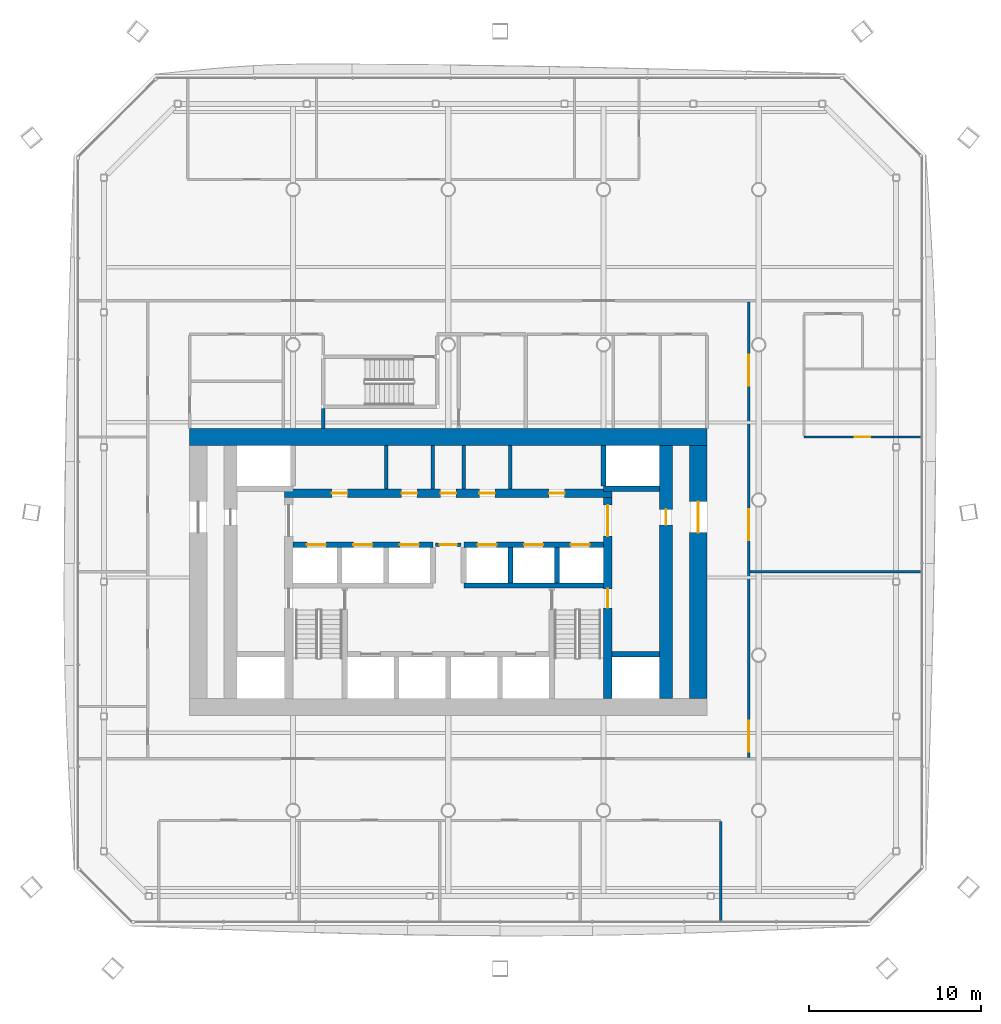
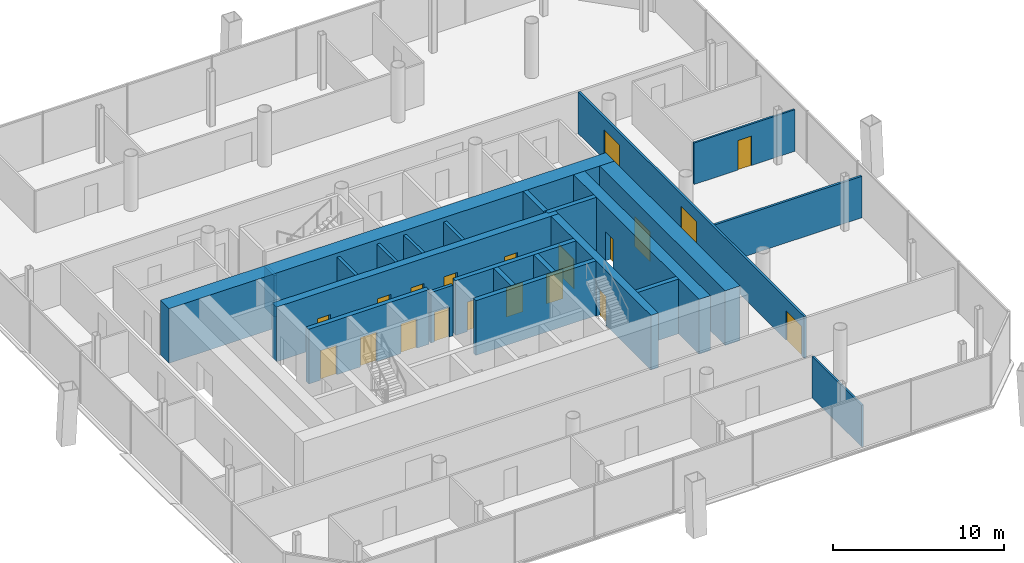
# One storey, part 12 of 19: 23 walls, 20 doors, 20 openings.
"""IFC4 building model written with IfcOpenShell, lengths in metres."""

from ifc_helpers import new_model, si_unit, direction, frame, frame_2d, origin, place, context, subcontext, project, spatial, rectangle, extrude, material, layer, layer_set, type_object, element, fill, save


model = new_model("IFC4")

# Units and contexts
model_context = context("Model", 3, precision=1e-05, world=origin(), true_north=direction((0.0, 1.0)))
body_context = subcontext(model_context, "Body", "Model", "MODEL_VIEW")
ifc_project = project(units=[si_unit("LENGTHUNIT", "METRE"), si_unit("AREAUNIT", "SQUARE_METRE"), si_unit("VOLUMEUNIT", "CUBIC_METRE"), si_unit("PLANEANGLEUNIT", "RADIAN"), si_unit("MASSUNIT", "GRAM", prefix="KILO")], contexts=[model_context])

# Site, building, storey
site_placement = place(None, origin())
site = spatial("IfcSite", under=ifc_project, at=site_placement, CompositionType="ELEMENT")
building_placement = place(site_placement, origin())
building = spatial("IfcBuilding", under=site, at=building_placement, Name="Tskaro Facet Tower", CompositionType="ELEMENT")
storey_placement = place(building_placement, frame((0.0, 0.0, 93.300048828125)))
storey = spatial("IfcBuildingStorey", under=building, at=storey_placement, Name="L22", CompositionType="ELEMENT", Elevation=93.300048828125)

# Walls
ifc_material_1 = material(Name="Concrete C60/75", Category="concrete")
ifc_layer_1 = layer(ifc_material_1, 0.300048828125, Name="Concrete C60/75")
ifc_layer_set_1 = layer_set([ifc_layer_1], Name="Concrete C60/75")
wall_type_1 = type_object("IfcWallType", Name="CORE-SHAFT", PredefinedType="SHEAR", material=ifc_layer_set_1)
wall_1_placement = place(storey_placement, frame((9.5, -8.949951171875, 0.0), z_axis=(0.0, 0.0, 1.0), x_axis=(1.0, 0.0, 0.0)))
element("IfcWall", 1, at=wall_1_placement, inside=storey, type_object=wall_type_1, Name="Shaft wall W006", PredefinedType="SHEAR", context=body_context, shape_type="SweptSolid", body=[
    extrude(rectangle(XDim=2.75, YDim=0.300048828125, at=frame_2d((1.375, 0.0))), origin(), (0.0, 0.0, 1.0), 3.89990234375),
])
wall_2_placement = place(storey_placement, frame((0.89990234375, -4.949951171875, 0.0), z_axis=(0.0, 0.0, 1.0), x_axis=(1.0, 0.0, 0.0)))
element("IfcWall", 2, at=wall_2_placement, inside=storey, type_object=wall_type_1, Name="Shaft wall W008", PredefinedType="SHEAR", context=body_context, shape_type="SweptSolid", body=[
    extrude(rectangle(XDim=8.10009765625, YDim=0.300048828125, at=frame_2d((4.050048828125, 0.0))), origin(), (0.0, 0.0, 1.0), 3.89990234375),
])

# Wall, openings, doors
wall_3_placement = place(storey_placement, frame((-9.0, -2.60009765625, 0.0), z_axis=(0.0, 0.0, 1.0), x_axis=(1.0, 0.0, 0.0)))
wall_3 = element("IfcWall", 3, at=wall_3_placement, inside=storey, type_object=wall_type_1, Name="Shaft wall W011", PredefinedType="SHEAR", context=body_context, shape_type="SweptSolid", body=[
    extrude(rectangle(XDim=8.10009765625, YDim=0.300048828125, at=frame_2d((4.050048828125, 0.0))), origin(), (0.0, 0.0, 1.0), 3.89990234375),
])
opening_1_placement = place(wall_3_placement, frame((0.800048828125, 0.0, 0.0)))
opening_1 = element("IfcOpeningElement", 4, at=opening_1_placement, cuts=wall_3, Name="Opening LD-LR1", PredefinedType="OPENING", context=body_context, shape_type="SweptSolid", body=[
    extrude(rectangle(XDim=1.10009765625, YDim=2.10009765625, at=frame_2d((0.550048828125, 1.050048828125))), frame((0.0, 0.159912109375, 0.0), z_axis=(0.0, -1.0, 0.0), x_axis=(1.0, 0.0, 0.0)), (0.0, 0.0, 1.0), 0.320068359375),
])
opening_2_placement = place(wall_3_placement, frame((3.5, 0.0, 0.0)))
opening_2 = element("IfcOpeningElement", 5, at=opening_2_placement, cuts=wall_3, Name="Opening LD-LR2", PredefinedType="OPENING", context=body_context, shape_type="SweptSolid", body=[
    extrude(rectangle(XDim=1.10009765625, YDim=2.10009765625, at=frame_2d((0.550048828125, 1.050048828125))), frame((0.0, 0.159912109375, 0.0), z_axis=(0.0, -1.0, 0.0), x_axis=(1.0, 0.0, 0.0)), (0.0, 0.0, 1.0), 0.320068359375),
])
opening_3_placement = place(wall_3_placement, frame((6.199951171875, 0.0, 0.0)))
opening_3 = element("IfcOpeningElement", 6, at=opening_3_placement, cuts=wall_3, Name="Opening LD-LR3", PredefinedType="OPENING", context=body_context, shape_type="SweptSolid", body=[
    extrude(rectangle(XDim=1.10009765625, YDim=2.10009765625, at=frame_2d((0.550048828125, 1.050048828125))), frame((0.0, 0.159912109375, 0.0), z_axis=(0.0, -1.0, 0.0), x_axis=(1.0, 0.0, 0.0)), (0.0, 0.0, 1.0), 0.320068359375),
])
ifc_material_2 = material(Name="Stainless steel", Category="steel")
door_type_1 = type_object("IfcDoorType", Name="D-LANDING", OperationType="NOTDEFINED", PredefinedType="DOOR", material=ifc_material_2)
door_1_placement = place(opening_1_placement, origin())
door_1 = element("IfcDoor", 7, at=door_1_placement, inside=storey, type_object=door_type_1, Name="Landing door LR1", OperationType="DOUBLE_DOOR_SLIDING", OverallHeight=2.10009765625, OverallWidth=1.10009765625, PredefinedType="DOOR", context=body_context, shape_type="SweptSolid", body=[
    extrude(rectangle(XDim=1.10009765625, YDim=2.10009765625, at=frame_2d((0.550048828125, 1.050048828125))), frame((0.0, 0.02490234375, 0.0), z_axis=(0.0, -1.0, 0.0), x_axis=(1.0, 0.0, 0.0)), (0.0, 0.0, 1.0), 0.050048828125),
])
fill(opening_1, door_1)
door_2_placement = place(opening_2_placement, origin())
door_2 = element("IfcDoor", 8, at=door_2_placement, inside=storey, type_object=door_type_1, Name="Landing door LR2", OperationType="DOUBLE_DOOR_SLIDING", OverallHeight=2.10009765625, OverallWidth=1.10009765625, PredefinedType="DOOR", context=body_context, shape_type="SweptSolid", body=[
    extrude(rectangle(XDim=1.10009765625, YDim=2.10009765625, at=frame_2d((0.550048828125, 1.050048828125))), frame((0.0, 0.02490234375, 0.0), z_axis=(0.0, -1.0, 0.0), x_axis=(1.0, 0.0, 0.0)), (0.0, 0.0, 1.0), 0.050048828125),
])
fill(opening_2, door_2)
door_3_placement = place(opening_3_placement, origin())
door_3 = element("IfcDoor", 9, at=door_3_placement, inside=storey, type_object=door_type_1, Name="Landing door LR3", OperationType="DOUBLE_DOOR_SLIDING", OverallHeight=2.10009765625, OverallWidth=1.10009765625, PredefinedType="DOOR", context=body_context, shape_type="SweptSolid", body=[
    extrude(rectangle(XDim=1.10009765625, YDim=2.10009765625, at=frame_2d((0.550048828125, 1.050048828125))), frame((0.0, 0.02490234375, 0.0), z_axis=(0.0, -1.0, 0.0), x_axis=(1.0, 0.0, 0.0)), (0.0, 0.0, 1.0), 0.050048828125),
])
fill(opening_3, door_3)

wall_4_placement = place(storey_placement, frame((0.89990234375, -2.60009765625, 0.0), z_axis=(0.0, 0.0, 1.0), x_axis=(1.0, 0.0, 0.0)))
wall_4 = element("IfcWall", 10, at=wall_4_placement, inside=storey, type_object=wall_type_1, Name="Shaft wall W013", PredefinedType="SHEAR", context=body_context, shape_type="SweptSolid", body=[
    extrude(rectangle(XDim=8.10009765625, YDim=0.300048828125, at=frame_2d((4.050048828125, 0.0))), origin(), (0.0, 0.0, 1.0), 3.89990234375),
])
opening_4_placement = place(wall_4_placement, frame((0.800048828125, 0.0, 0.0)))
opening_4 = element("IfcOpeningElement", 11, at=opening_4_placement, cuts=wall_4, Name="Opening LD-LR4", PredefinedType="OPENING", context=body_context, shape_type="SweptSolid", body=[
    extrude(rectangle(XDim=1.10009765625, YDim=2.10009765625, at=frame_2d((0.550048828125, 1.050048828125))), frame((0.0, 0.159912109375, 0.0), z_axis=(0.0, -1.0, 0.0), x_axis=(1.0, 0.0, 0.0)), (0.0, 0.0, 1.0), 0.320068359375),
])
opening_5_placement = place(wall_4_placement, frame((3.5, 0.0, 0.0)))
opening_5 = element("IfcOpeningElement", 12, at=opening_5_placement, cuts=wall_4, Name="Opening LD-LR5", PredefinedType="OPENING", context=body_context, shape_type="SweptSolid", body=[
    extrude(rectangle(XDim=1.10009765625, YDim=2.10009765625, at=frame_2d((0.550048828125, 1.050048828125))), frame((0.0, 0.159912109375, 0.0), z_axis=(0.0, -1.0, 0.0), x_axis=(1.0, 0.0, 0.0)), (0.0, 0.0, 1.0), 0.320068359375),
])
opening_6_placement = place(wall_4_placement, frame((6.199951171875, 0.0, 0.0)))
opening_6 = element("IfcOpeningElement", 13, at=opening_6_placement, cuts=wall_4, Name="Opening LD-LR6", PredefinedType="OPENING", context=body_context, shape_type="SweptSolid", body=[
    extrude(rectangle(XDim=1.10009765625, YDim=2.10009765625, at=frame_2d((0.550048828125, 1.050048828125))), frame((0.0, 0.159912109375, 0.0), z_axis=(0.0, -1.0, 0.0), x_axis=(1.0, 0.0, 0.0)), (0.0, 0.0, 1.0), 0.320068359375),
])
door_4_placement = place(opening_4_placement, origin())
door_4 = element("IfcDoor", 14, at=door_4_placement, inside=storey, type_object=door_type_1, Name="Landing door LR4", OperationType="DOUBLE_DOOR_SLIDING", OverallHeight=2.10009765625, OverallWidth=1.10009765625, PredefinedType="DOOR", context=body_context, shape_type="SweptSolid", body=[
    extrude(rectangle(XDim=1.10009765625, YDim=2.10009765625, at=frame_2d((0.550048828125, 1.050048828125))), frame((0.0, 0.02490234375, 0.0), z_axis=(0.0, -1.0, 0.0), x_axis=(1.0, 0.0, 0.0)), (0.0, 0.0, 1.0), 0.050048828125),
])
fill(opening_4, door_4)
door_5_placement = place(opening_5_placement, origin())
door_5 = element("IfcDoor", 15, at=door_5_placement, inside=storey, type_object=door_type_1, Name="Landing door LR5", OperationType="DOUBLE_DOOR_SLIDING", OverallHeight=2.10009765625, OverallWidth=1.10009765625, PredefinedType="DOOR", context=body_context, shape_type="SweptSolid", body=[
    extrude(rectangle(XDim=1.10009765625, YDim=2.10009765625, at=frame_2d((0.550048828125, 1.050048828125))), frame((0.0, 0.02490234375, 0.0), z_axis=(0.0, -1.0, 0.0), x_axis=(1.0, 0.0, 0.0)), (0.0, 0.0, 1.0), 0.050048828125),
])
fill(opening_5, door_5)
door_6_placement = place(opening_6_placement, origin())
door_6 = element("IfcDoor", 16, at=door_6_placement, inside=storey, type_object=door_type_1, Name="Landing door LR6", OperationType="DOUBLE_DOOR_SLIDING", OverallHeight=2.10009765625, OverallWidth=1.10009765625, PredefinedType="DOOR", context=body_context, shape_type="SweptSolid", body=[
    extrude(rectangle(XDim=1.10009765625, YDim=2.10009765625, at=frame_2d((0.550048828125, 1.050048828125))), frame((0.0, 0.02490234375, 0.0), z_axis=(0.0, -1.0, 0.0), x_axis=(1.0, 0.0, 0.0)), (0.0, 0.0, 1.0), 0.050048828125),
])
fill(opening_6, door_6)

# Walls
wall_5_placement = place(storey_placement, frame((12.25, 0.64990234375, 0.0), z_axis=(0.0, 0.0, 1.0), x_axis=(-1.0, 0.0, 0.0)))
element("IfcWall", 17, at=wall_5_placement, inside=storey, type_object=wall_type_1, Name="Shaft wall W015", PredefinedType="SHEAR", context=body_context, shape_type="SweptSolid", body=[
    extrude(rectangle(XDim=3.25, YDim=0.300048828125, at=frame_2d((1.625, 0.0))), origin(), (0.0, 0.0, 1.0), 3.89990234375),
])
for number, where, z_axis, x_axis, name in (
    (18, (3.60009765625, -4.800048828125, 0.0), (0.0, 0.0, 1.0), (0.0, 1.0, 0.0), "Shaft wall W054"),
    (19, (6.300048828125, -4.800048828125, 0.0), (0.0, 0.0, 1.0), (0.0, 1.0, 0.0), "Shaft wall W058"),
):
    element("IfcWall", number, at=place(storey_placement, frame(where, z_axis=z_axis, x_axis=x_axis)), inside=storey, type_object=wall_type_1, Name=name, PredefinedType="SHEAR", context=body_context, shape_type="SweptSolid", body=[
        extrude(rectangle(XDim=2.050048828125, YDim=0.300048828125, at=frame_2d((1.02490234375, 0.0))), origin(), (0.0, 0.0, 1.0), 3.89990234375),
    ])
wall_6_placement = place(storey_placement, frame((9.0, 0.800048828125, 0.0), z_axis=(0.0, 0.0, 1.0), x_axis=(0.0, 1.0, 0.0)))
element("IfcWall", 20, at=wall_6_placement, inside=storey, type_object=wall_type_1, Name="Shaft wall W061", PredefinedType="SHEAR", context=body_context, shape_type="SweptSolid", body=[
    extrude(rectangle(XDim=2.349853515625, YDim=0.300048828125, at=frame_2d((1.1748046875, 0.0))), origin(), (0.0, 0.0, 1.0), 3.89990234375),
])

# Wall, opening, door
ifc_material_3 = material(Name="Concrete C20/25", Category="concrete")
ifc_layer_2 = layer(ifc_material_3, 0.199951171875, Name="Concrete C20/25")
ifc_layer_set_2 = layer_set([ifc_layer_2], Name="Concrete C20/25")
wall_type_2 = type_object("IfcWallType", Name="CORE-WALL", PredefinedType="SOLIDWALL", material=ifc_layer_set_2)
wall_7_placement = place(storey_placement, frame((0.75, -2.60009765625, 0.0), z_axis=(0.0, 0.0, 1.0), x_axis=(-1.0, 0.0, 0.0)))
wall_7 = element("IfcWall", 21, at=wall_7_placement, inside=storey, type_object=wall_type_2, Name="Core room wall W012", PredefinedType="SOLIDWALL", context=body_context, shape_type="SweptSolid", body=[
    extrude(rectangle(XDim=1.5, YDim=0.199951171875, at=frame_2d((0.75, 0.0))), origin(), (0.0, 0.0, 1.0), 3.599853515625),
])
opening_7_placement = place(wall_7_placement, frame((0.25, 0.0, 0.0)))
opening_7 = element("IfcOpeningElement", 22, at=opening_7_placement, cuts=wall_7, Name="Opening FL-D1", PredefinedType="OPENING", context=body_context, shape_type="SweptSolid", body=[
    extrude(rectangle(XDim=1.0, YDim=2.10009765625, at=frame_2d((0.5, 1.050048828125))), frame((0.0, 0.10986328125, 0.0), z_axis=(0.0, -1.0, 0.0), x_axis=(1.0, 0.0, 0.0)), (0.0, 0.0, 1.0), 0.219970703125),
])
ifc_material_4 = material(Name="Steel", Category="steel")
door_type_2 = type_object("IfcDoorType", Name="D-LOBBY", OperationType="NOTDEFINED", PredefinedType="DOOR", material=ifc_material_4)
door_7_placement = place(opening_7_placement, origin())
door_7 = element("IfcDoor", 23, at=door_7_placement, inside=storey, type_object=door_type_2, Name="Lobby door FL", OperationType="SINGLE_SWING_RIGHT", OverallHeight=2.10009765625, OverallWidth=1.0, PredefinedType="DOOR", context=body_context, shape_type="SweptSolid", body=[
    extrude(rectangle(XDim=1.0, YDim=2.10009765625, at=frame_2d((0.5, 1.050048828125))), frame((0.0, 0.02490234375, 0.0), z_axis=(0.0, -1.0, 0.0), x_axis=(1.0, 0.0, 0.0)), (0.0, 0.0, 1.0), 0.050048828125),
])
fill(opening_7, door_7)

# Walls
for number, where, z_axis, x_axis, name in (
    (24, (-3.60009765625, 0.64990234375, 0.0), (0.0, 0.0, 1.0), (0.0, 1.0, 0.0), "Core room wall W042"),
    (25, (-0.89990234375, 0.64990234375, 0.0), (0.0, 0.0, 1.0), (0.0, 1.0, 0.0), "Core room wall W045"),
    (26, (0.89990234375, 0.64990234375, 0.0), (0.0, 0.0, 1.0), (0.0, 1.0, 0.0), "Core room wall W052"),
    (27, (3.60009765625, 0.64990234375, 0.0), (0.0, 0.0, 1.0), (0.0, 1.0, 0.0), "Core room wall W055"),
):
    element("IfcWall", number, at=place(storey_placement, frame(where, z_axis=z_axis, x_axis=x_axis)), inside=storey, type_object=wall_type_2, Name=name, PredefinedType="SOLIDWALL", context=body_context, shape_type="SweptSolid", body=[
        extrude(rectangle(XDim=2.5, YDim=0.199951171875, at=frame_2d((1.25, 0.0))), origin(), (0.0, 0.0, 1.0), 3.599853515625),
    ])
ifc_layer_3 = layer(ifc_material_1, 1.0, Name="Concrete C60/75")
ifc_layer_set_3 = layer_set([ifc_layer_3], Name="Concrete C60/75")
wall_type_3 = type_object("IfcWallType", Name="Core wall 1000", PredefinedType="SHEAR", material=ifc_layer_set_3)
wall_8_placement = place(storey_placement, frame((-15.0, 3.64990234375, 0.0), z_axis=(0.0, 0.0, 1.0), x_axis=(1.0, 0.0, 0.0)))
element("IfcWall", 28, at=wall_8_placement, inside=storey, type_object=wall_type_3, Name="Core wall CW-Z1N", PredefinedType="SHEAR", context=body_context, shape_type="SweptSolid", body=[
    extrude(rectangle(XDim=30.0, YDim=1.0, at=frame_2d((15.0, 0.0))), origin(), (0.0, 0.0, 1.0), 3.89990234375),
])

# Wall, opening, door
wall_9_placement = place(storey_placement, frame((14.5, -11.5, 0.0), z_axis=(0.0, 0.0, 1.0), x_axis=(0.0, 1.0, 0.0)))
wall_9 = element("IfcWall", 29, at=wall_9_placement, inside=storey, type_object=wall_type_3, Name="Core wall CW-Z1E", PredefinedType="SHEAR", context=body_context, shape_type="SweptSolid", body=[
    extrude(rectangle(XDim=14.64990234375, YDim=1.0, at=frame_2d((7.324951171875, 0.0))), origin(), (0.0, 0.0, 1.0), 3.89990234375),
])
opening_8_placement = place(wall_9_placement, frame((9.60009765625, 0.0, 0.0)))
opening_8 = element("IfcOpeningElement", 30, at=opening_8_placement, cuts=wall_9, Name="Opening T6-D18", PredefinedType="OPENING", context=body_context, shape_type="SweptSolid", body=[
    extrude(rectangle(XDim=1.800048828125, YDim=2.10009765625, at=frame_2d((0.89990234375, 1.050048828125))), frame((0.0, 0.510009765625, 0.0), z_axis=(0.0, -1.0, 0.0), x_axis=(1.0, 0.0, 0.0)), (0.0, 0.0, 1.0), 1.02001953125),
])
door_type_3 = type_object("IfcDoorType", Name="D-CORE-PAIR", OperationType="NOTDEFINED", PredefinedType="DOOR", material=ifc_material_4)
door_8_placement = place(opening_8_placement, origin())
door_8 = element("IfcDoor", 31, at=door_8_placement, inside=storey, type_object=door_type_3, Name="Door T6-D18", OperationType="DOUBLE_DOOR_SINGLE_SWING", OverallHeight=2.10009765625, OverallWidth=1.800048828125, PredefinedType="DOOR", context=body_context, shape_type="SweptSolid", body=[
    extrude(rectangle(XDim=1.800048828125, YDim=2.10009765625, at=frame_2d((0.89990234375, 1.050048828125))), frame((0.0, 0.02490234375, 0.0), z_axis=(0.0, -1.0, 0.0), x_axis=(1.0, 0.0, 0.0)), (0.0, 0.0, 1.0), 0.050048828125),
])
fill(opening_8, door_8)

# Wall, openings, doors
ifc_material_5 = material(Name="Concrete C40/50", Category="concrete")
ifc_layer_4 = layer(ifc_material_5, 0.5, Name="Concrete C40/50")
ifc_layer_set_4 = layer_set([ifc_layer_4], Name="Concrete C40/50")
wall_type_4 = type_object("IfcWallType", Name="Core wall 500", PredefinedType="SHEAR", material=ifc_layer_set_4)
wall_10_placement = place(storey_placement, frame((-9.5, 0.39990234375, 0.0), z_axis=(0.0, 0.0, 1.0), x_axis=(1.0, 0.0, 0.0)))
wall_10 = element("IfcWall", 32, at=wall_10_placement, inside=storey, type_object=wall_type_4, Name="Core wall CW-Z3N", PredefinedType="SHEAR", context=body_context, shape_type="SweptSolid", body=[
    extrude(rectangle(XDim=19.0, YDim=0.5, at=frame_2d((9.5, 0.0))), origin(), (0.0, 0.0, 1.0), 3.89990234375),
])
opening_9_placement = place(wall_10_placement, frame((2.75, 0.0, 0.0)))
opening_9 = element("IfcOpeningElement", 33, at=opening_9_placement, cuts=wall_10, Name="Opening T6-D20", PredefinedType="OPENING", context=body_context, shape_type="SweptSolid", body=[
    extrude(rectangle(XDim=0.89990234375, YDim=2.10009765625, at=frame_2d((0.449951171875, 1.050048828125))), frame((0.0, 0.260009765625, 0.0), z_axis=(0.0, -1.0, 0.0), x_axis=(1.0, 0.0, 0.0)), (0.0, 0.0, 1.0), 0.52001953125),
])
opening_10_placement = place(wall_10_placement, frame((6.800048828125, 0.0, 0.0)))
opening_10 = element("IfcOpeningElement", 34, at=opening_10_placement, cuts=wall_10, Name="Opening T6-D21", PredefinedType="OPENING", context=body_context, shape_type="SweptSolid", body=[
    extrude(rectangle(XDim=0.89990234375, YDim=2.10009765625, at=frame_2d((0.449951171875, 1.050048828125))), frame((0.0, 0.260009765625, 0.0), z_axis=(0.0, -1.0, 0.0), x_axis=(1.0, 0.0, 0.0)), (0.0, 0.0, 1.0), 0.52001953125),
])
opening_11_placement = place(wall_10_placement, frame((11.300048828125, 0.0, 0.0)))
opening_11 = element("IfcOpeningElement", 35, at=opening_11_placement, cuts=wall_10, Name="Opening T6-D23", PredefinedType="OPENING", context=body_context, shape_type="SweptSolid", body=[
    extrude(rectangle(XDim=0.89990234375, YDim=2.10009765625, at=frame_2d((0.449951171875, 1.050048828125))), frame((0.0, 0.260009765625, 0.0), z_axis=(0.0, -1.0, 0.0), x_axis=(1.0, 0.0, 0.0)), (0.0, 0.0, 1.0), 0.52001953125),
])
opening_12_placement = place(wall_10_placement, frame((15.35009765625, 0.0, 0.0)))
opening_12 = element("IfcOpeningElement", 36, at=opening_12_placement, cuts=wall_10, Name="Opening T6-D24", PredefinedType="OPENING", context=body_context, shape_type="SweptSolid", body=[
    extrude(rectangle(XDim=0.89990234375, YDim=2.10009765625, at=frame_2d((0.449951171875, 1.050048828125))), frame((0.0, 0.260009765625, 0.0), z_axis=(0.0, -1.0, 0.0), x_axis=(1.0, 0.0, 0.0)), (0.0, 0.0, 1.0), 0.52001953125),
])
opening_13_placement = place(wall_10_placement, frame((9.050048828125, 0.0, 0.0)))
opening_13 = element("IfcOpeningElement", 37, at=opening_13_placement, cuts=wall_10, Name="Opening T6-D22", PredefinedType="OPENING", context=body_context, shape_type="SweptSolid", body=[
    extrude(rectangle(XDim=0.89990234375, YDim=2.10009765625, at=frame_2d((0.449951171875, 1.050048828125))), frame((0.0, 0.260009765625, 0.0), z_axis=(0.0, -1.0, 0.0), x_axis=(1.0, 0.0, 0.0)), (0.0, 0.0, 1.0), 0.52001953125),
])
door_type_4 = type_object("IfcDoorType", Name="D-RISER", OperationType="NOTDEFINED", PredefinedType="DOOR", material=ifc_material_4)
door_9_placement = place(opening_13_placement, origin())
door_9 = element("IfcDoor", 38, at=door_9_placement, inside=storey, type_object=door_type_4, Name="Door T6-D22", OperationType="SINGLE_SWING_LEFT", OverallHeight=2.10009765625, OverallWidth=0.89990234375, PredefinedType="DOOR", context=body_context, shape_type="SweptSolid", body=[
    extrude(rectangle(XDim=0.89990234375, YDim=2.10009765625, at=frame_2d((0.449951171875, 1.050048828125))), frame((0.0, 0.02490234375, 0.0), z_axis=(0.0, -1.0, 0.0), x_axis=(1.0, 0.0, 0.0)), (0.0, 0.0, 1.0), 0.050048828125),
])
fill(opening_13, door_9)
ifc_material_6 = material(Name="Timber", Category="wood")
door_type_5 = type_object("IfcDoorType", Name="D-ROOM", OperationType="NOTDEFINED", PredefinedType="DOOR", material=ifc_material_6)
door_10_placement = place(opening_9_placement, origin())
door_10 = element("IfcDoor", 39, at=door_10_placement, inside=storey, type_object=door_type_5, Name="Door T6-D20", OperationType="SINGLE_SWING_LEFT", OverallHeight=2.10009765625, OverallWidth=0.89990234375, PredefinedType="DOOR", context=body_context, shape_type="SweptSolid", body=[
    extrude(rectangle(XDim=0.89990234375, YDim=2.10009765625, at=frame_2d((0.449951171875, 1.050048828125))), frame((0.0, 0.02490234375, 0.0), z_axis=(0.0, -1.0, 0.0), x_axis=(1.0, 0.0, 0.0)), (0.0, 0.0, 1.0), 0.050048828125),
])
fill(opening_9, door_10)
door_11_placement = place(opening_10_placement, origin())
door_11 = element("IfcDoor", 40, at=door_11_placement, inside=storey, type_object=door_type_5, Name="Door T6-D21", OperationType="SINGLE_SWING_LEFT", OverallHeight=2.10009765625, OverallWidth=0.89990234375, PredefinedType="DOOR", context=body_context, shape_type="SweptSolid", body=[
    extrude(rectangle(XDim=0.89990234375, YDim=2.10009765625, at=frame_2d((0.449951171875, 1.050048828125))), frame((0.0, 0.02490234375, 0.0), z_axis=(0.0, -1.0, 0.0), x_axis=(1.0, 0.0, 0.0)), (0.0, 0.0, 1.0), 0.050048828125),
])
fill(opening_10, door_11)
door_12_placement = place(opening_11_placement, origin())
door_12 = element("IfcDoor", 41, at=door_12_placement, inside=storey, type_object=door_type_5, Name="Door T6-D23", OperationType="SINGLE_SWING_LEFT", OverallHeight=2.10009765625, OverallWidth=0.89990234375, PredefinedType="DOOR", context=body_context, shape_type="SweptSolid", body=[
    extrude(rectangle(XDim=0.89990234375, YDim=2.10009765625, at=frame_2d((0.449951171875, 1.050048828125))), frame((0.0, 0.02490234375, 0.0), z_axis=(0.0, -1.0, 0.0), x_axis=(1.0, 0.0, 0.0)), (0.0, 0.0, 1.0), 0.050048828125),
])
fill(opening_11, door_12)
door_13_placement = place(opening_12_placement, origin())
door_13 = element("IfcDoor", 42, at=door_13_placement, inside=storey, type_object=door_type_5, Name="Door T6-D24", OperationType="SINGLE_SWING_LEFT", OverallHeight=2.10009765625, OverallWidth=0.89990234375, PredefinedType="DOOR", context=body_context, shape_type="SweptSolid", body=[
    extrude(rectangle(XDim=0.89990234375, YDim=2.10009765625, at=frame_2d((0.449951171875, 1.050048828125))), frame((0.0, 0.02490234375, 0.0), z_axis=(0.0, -1.0, 0.0), x_axis=(1.0, 0.0, 0.0)), (0.0, 0.0, 1.0), 0.050048828125),
])
fill(opening_12, door_13)

wall_11_placement = place(storey_placement, frame((9.25, -11.5, 0.0), z_axis=(0.0, 0.0, 1.0), x_axis=(0.0, 1.0, 0.0)))
wall_11 = element("IfcWall", 43, at=wall_11_placement, inside=storey, type_object=wall_type_4, Name="Core wall CW-Z3E", PredefinedType="SHEAR", context=body_context, shape_type="SweptSolid", body=[
    extrude(rectangle(XDim=11.64990234375, YDim=0.5, at=frame_2d((5.824951171875, 0.0))), origin(), (0.0, 0.0, 1.0), 3.89990234375),
])
opening_14_placement = place(wall_11_placement, frame((9.39990234375, 0.0, 0.0)))
opening_14 = element("IfcOpeningElement", 44, at=opening_14_placement, cuts=wall_11, Name="Opening T6-D14", PredefinedType="OPENING", context=body_context, shape_type="SweptSolid", body=[
    extrude(rectangle(XDim=1.800048828125, YDim=2.10009765625, at=frame_2d((0.89990234375, 1.050048828125))), frame((0.0, 0.260009765625, 0.0), z_axis=(0.0, -1.0, 0.0), x_axis=(1.0, 0.0, 0.0)), (0.0, 0.0, 1.0), 0.52001953125),
])
opening_15_placement = place(wall_11_placement, frame((5.25, 0.0, 0.0)))
opening_15 = element("IfcOpeningElement", 45, at=opening_15_placement, cuts=wall_11, Name="Opening ST-2-D2", PredefinedType="OPENING", context=body_context, shape_type="SweptSolid", body=[
    extrude(rectangle(XDim=1.10009765625, YDim=2.10009765625, at=frame_2d((0.550048828125, 1.050048828125))), frame((0.0, 0.260009765625, 0.0), z_axis=(0.0, -1.0, 0.0), x_axis=(1.0, 0.0, 0.0)), (0.0, 0.0, 1.0), 0.52001953125),
])
door_14_placement = place(opening_14_placement, origin())
door_14 = element("IfcDoor", 46, at=door_14_placement, inside=storey, type_object=door_type_3, Name="Door T6-D14", OperationType="DOUBLE_DOOR_SINGLE_SWING", OverallHeight=2.10009765625, OverallWidth=1.800048828125, PredefinedType="DOOR", context=body_context, shape_type="SweptSolid", body=[
    extrude(rectangle(XDim=1.800048828125, YDim=2.10009765625, at=frame_2d((0.89990234375, 1.050048828125))), frame((0.0, 0.02490234375, 0.0), z_axis=(0.0, -1.0, 0.0), x_axis=(1.0, 0.0, 0.0)), (0.0, 0.0, 1.0), 0.050048828125),
])
fill(opening_14, door_14)
door_type_6 = type_object("IfcDoorType", Name="D-STAIR", OperationType="NOTDEFINED", PredefinedType="DOOR", material=ifc_material_4)
door_15_placement = place(opening_15_placement, origin())
door_15 = element("IfcDoor", 47, at=door_15_placement, inside=storey, type_object=door_type_6, Name="Stair door 2 east", OperationType="SINGLE_SWING_LEFT", OverallHeight=2.10009765625, OverallWidth=1.10009765625, PredefinedType="DOOR", context=body_context, shape_type="SweptSolid", body=[
    extrude(rectangle(XDim=1.10009765625, YDim=2.10009765625, at=frame_2d((0.550048828125, 1.050048828125))), frame((0.0, 0.02490234375, 0.0), z_axis=(0.0, -1.0, 0.0), x_axis=(1.0, 0.0, 0.0)), (0.0, 0.0, 1.0), 0.050048828125),
])
fill(opening_15, door_15)

# Wall, opening, door
ifc_material_7 = material(Name="Concrete C50/60", Category="concrete")
ifc_layer_5 = layer(ifc_material_7, 0.75, Name="Concrete C50/60")
ifc_layer_set_5 = layer_set([ifc_layer_5], Name="Concrete C50/60")
wall_type_5 = type_object("IfcWallType", Name="Core wall 750", PredefinedType="SHEAR", material=ifc_layer_set_5)
wall_12_placement = place(storey_placement, frame((12.625, -11.5, 0.0), z_axis=(0.0, 0.0, 1.0), x_axis=(0.0, 1.0, 0.0)))
wall_12 = element("IfcWall", 48, at=wall_12_placement, inside=storey, type_object=wall_type_5, Name="Core wall CW-Z2E", PredefinedType="SHEAR", context=body_context, shape_type="SweptSolid", body=[
    extrude(rectangle(XDim=14.64990234375, YDim=0.75, at=frame_2d((7.324951171875, 0.0))), origin(), (0.0, 0.0, 1.0), 3.89990234375),
])
opening_16_placement = place(wall_12_placement, frame((10.050048828125, 0.0, 0.0)))
opening_16 = element("IfcOpeningElement", 49, at=opening_16_placement, cuts=wall_12, Name="Opening T6-D17", PredefinedType="OPENING", context=body_context, shape_type="SweptSolid", body=[
    extrude(rectangle(XDim=0.89990234375, YDim=2.10009765625, at=frame_2d((0.449951171875, 1.050048828125))), frame((0.0, 0.385009765625, 0.0), z_axis=(0.0, -1.0, 0.0), x_axis=(1.0, 0.0, 0.0)), (0.0, 0.0, 1.0), 0.77001953125),
])
door_16_placement = place(opening_16_placement, origin())
door_16 = element("IfcDoor", 50, at=door_16_placement, inside=storey, type_object=door_type_5, Name="Door T6-D17", OperationType="SINGLE_SWING_LEFT", OverallHeight=2.10009765625, OverallWidth=0.89990234375, PredefinedType="DOOR", context=body_context, shape_type="SweptSolid", body=[
    extrude(rectangle(XDim=0.89990234375, YDim=2.10009765625, at=frame_2d((0.449951171875, 1.050048828125))), frame((0.0, 0.02490234375, 0.0), z_axis=(0.0, -1.0, 0.0), x_axis=(1.0, 0.0, 0.0)), (0.0, 0.0, 1.0), 0.050048828125),
])
fill(opening_16, door_16)

ifc_material_8 = material(Name="Gypsum board on steel studs", Category="steel")
ifc_layer_6 = layer(ifc_material_8, 0.125, Name="Gypsum board on steel studs")
ifc_layer_set_6 = layer_set([ifc_layer_6], Name="Gypsum board on steel studs")
wall_type_6 = type_object("IfcWallType", Name="PART", PredefinedType="PARTITIONING", material=ifc_layer_set_6)
wall_13_placement = place(storey_placement, frame((20.625, 3.64794921875, 0.0), z_axis=(0.0, 0.0, 1.0), x_axis=(1.0, 0.0, 0.0)))
wall_13 = element("IfcWall", 51, at=wall_13_placement, inside=storey, type_object=wall_type_6, Name="Partition W017", PredefinedType="PARTITIONING", context=body_context, shape_type="SweptSolid", body=[
    extrude(rectangle(XDim=6.7880859375, YDim=0.125, at=frame_2d((3.39404296875, 0.0))), origin(), (0.0, 0.0, 1.0), 2.9599609375),
])
opening_17_placement = place(wall_13_placement, frame((2.944091796875, 0.0, 0.0)))
opening_17 = element("IfcOpeningElement", 52, at=opening_17_placement, cuts=wall_13, Name="Opening T6-D27", PredefinedType="OPENING", context=body_context, shape_type="SweptSolid", body=[
    extrude(rectangle(XDim=0.89990234375, YDim=2.10009765625, at=frame_2d((0.449951171875, 1.050048828125))), frame((0.0, 0.072509765625, 0.0), z_axis=(0.0, -1.0, 0.0), x_axis=(1.0, 0.0, 0.0)), (0.0, 0.0, 1.0), 0.14501953125),
])
door_17_placement = place(opening_17_placement, origin())
door_17 = element("IfcDoor", 53, at=door_17_placement, inside=storey, type_object=door_type_5, Name="Door T6-D27", OperationType="SINGLE_SWING_LEFT", OverallHeight=2.10009765625, OverallWidth=0.89990234375, PredefinedType="DOOR", context=body_context, shape_type="SweptSolid", body=[
    extrude(rectangle(XDim=0.89990234375, YDim=2.10009765625, at=frame_2d((0.449951171875, 1.050048828125))), frame((0.0, 0.02490234375, 0.0), z_axis=(0.0, -1.0, 0.0), x_axis=(1.0, 0.0, 0.0)), (0.0, 0.0, 1.0), 0.050048828125),
])
fill(opening_17, door_17)

# Walls
wall_14_placement = place(storey_placement, frame((15.798095703125, -24.4130859375, 0.0), z_axis=(0.0, 0.0, 1.0), x_axis=(0.0, 1.0, 0.0)))
element("IfcWall", 54, at=wall_14_placement, inside=storey, type_object=wall_type_6, Name="Partition W066", PredefinedType="PARTITIONING", context=body_context, shape_type="SweptSolid", body=[
    extrude(rectangle(XDim=5.7705078125, YDim=0.125, at=frame_2d((2.88525390625, 0.0))), origin(), (0.0, 0.0, 1.0), 2.9599609375),
])
ifc_layer_7 = layer(ifc_material_8, 0.14990234375, Name="Gypsum board on steel studs")
ifc_layer_set_7 = layer_set([ifc_layer_7], Name="Gypsum board on steel studs")
wall_type_7 = type_object("IfcWallType", Name="PART-CORR", PredefinedType="PARTITIONING", material=ifc_layer_set_7)
wall_15_placement = place(storey_placement, frame((17.5, -4.162109375, 0.0), z_axis=(0.0, 0.0, 1.0), x_axis=(1.0, 0.0, 0.0)))
element("IfcWall", 55, at=wall_15_placement, inside=storey, type_object=wall_type_7, Name="Corridor wall W010", PredefinedType="PARTITIONING", context=body_context, shape_type="SweptSolid", body=[
    extrude(rectangle(XDim=9.9130859375, YDim=0.14990234375, at=frame_2d((4.95654296875, 0.0))), origin(), (0.0, 0.0, 1.0), 2.9599609375),
])

# Wall, openings, doors
wall_16_placement = place(storey_placement, frame((17.425048828125, -14.925048828125, 0.0), z_axis=(0.0, 0.0, 1.0), x_axis=(0.0, 1.0, 0.0)))
wall_16 = element("IfcWall", 56, at=wall_16_placement, inside=storey, type_object=wall_type_7, Name="Corridor wall W067", PredefinedType="PARTITIONING", context=body_context, shape_type="SweptSolid", body=[
    extrude(rectangle(XDim=26.405029296875, YDim=0.14990234375, at=frame_2d((13.20263671875, 0.0))), origin(), (0.0, 0.0, 1.0), 2.9599609375),
])
opening_18_placement = place(wall_16_placement, frame((0.3125, 0.0, 0.0)))
opening_18 = element("IfcOpeningElement", 57, at=opening_18_placement, cuts=wall_16, Name="Opening T6-D08", PredefinedType="OPENING", context=body_context, shape_type="SweptSolid", body=[
    extrude(rectangle(XDim=1.800048828125, YDim=2.10009765625, at=frame_2d((0.89990234375, 1.050048828125))), frame((0.0, 0.0849609375, 0.0), z_axis=(0.0, -1.0, 0.0), x_axis=(1.0, 0.0, 0.0)), (0.0, 0.0, 1.0), 0.169921875),
])
opening_19_placement = place(wall_16_placement, frame((12.592041015625, 0.0, 0.0)))
opening_19 = element("IfcOpeningElement", 58, at=opening_19_placement, cuts=wall_16, Name="Opening T6-D12", PredefinedType="OPENING", context=body_context, shape_type="SweptSolid", body=[
    extrude(rectangle(XDim=1.800048828125, YDim=2.10009765625, at=frame_2d((0.89990234375, 1.050048828125))), frame((0.0, 0.0849609375, 0.0), z_axis=(0.0, -1.0, 0.0), x_axis=(1.0, 0.0, 0.0)), (0.0, 0.0, 1.0), 0.169921875),
])
opening_20_placement = place(wall_16_placement, frame((21.551025390625, 0.0, 0.0)))
opening_20 = element("IfcOpeningElement", 59, at=opening_20_placement, cuts=wall_16, Name="Opening T6-D31", PredefinedType="OPENING", context=body_context, shape_type="SweptSolid", body=[
    extrude(rectangle(XDim=1.800048828125, YDim=2.10009765625, at=frame_2d((0.89990234375, 1.050048828125))), frame((0.0, 0.0849609375, 0.0), z_axis=(0.0, -1.0, 0.0), x_axis=(1.0, 0.0, 0.0)), (0.0, 0.0, 1.0), 0.169921875),
])
ifc_material_9 = material(Name="Glass", Category="glass")
door_type_7 = type_object("IfcDoorType", Name="D-ENTRY-PAIR", OperationType="NOTDEFINED", PredefinedType="DOOR", material=ifc_material_9)
door_18_placement = place(opening_18_placement, origin())
door_18 = element("IfcDoor", 60, at=door_18_placement, inside=storey, type_object=door_type_7, Name="Door T6-D08", OperationType="DOUBLE_DOOR_SINGLE_SWING", OverallHeight=2.10009765625, OverallWidth=1.800048828125, PredefinedType="DOOR", context=body_context, shape_type="SweptSolid", body=[
    extrude(rectangle(XDim=1.800048828125, YDim=2.10009765625, at=frame_2d((0.89990234375, 1.050048828125))), frame((0.0, 0.02490234375, 0.0), z_axis=(0.0, -1.0, 0.0), x_axis=(1.0, 0.0, 0.0)), (0.0, 0.0, 1.0), 0.050048828125),
])
fill(opening_18, door_18)
door_19_placement = place(opening_19_placement, origin())
door_19 = element("IfcDoor", 61, at=door_19_placement, inside=storey, type_object=door_type_7, Name="Door T6-D12", OperationType="DOUBLE_DOOR_SINGLE_SWING", OverallHeight=2.10009765625, OverallWidth=1.800048828125, PredefinedType="DOOR", context=body_context, shape_type="SweptSolid", body=[
    extrude(rectangle(XDim=1.800048828125, YDim=2.10009765625, at=frame_2d((0.89990234375, 1.050048828125))), frame((0.0, 0.02490234375, 0.0), z_axis=(0.0, -1.0, 0.0), x_axis=(1.0, 0.0, 0.0)), (0.0, 0.0, 1.0), 0.050048828125),
])
fill(opening_19, door_19)
door_20_placement = place(opening_20_placement, origin())
door_20 = element("IfcDoor", 62, at=door_20_placement, inside=storey, type_object=door_type_7, Name="Door T6-D31", OperationType="DOUBLE_DOOR_SINGLE_SWING", OverallHeight=2.10009765625, OverallWidth=1.800048828125, PredefinedType="DOOR", context=body_context, shape_type="SweptSolid", body=[
    extrude(rectangle(XDim=1.800048828125, YDim=2.10009765625, at=frame_2d((0.89990234375, 1.050048828125))), frame((0.0, 0.02490234375, 0.0), z_axis=(0.0, -1.0, 0.0), x_axis=(1.0, 0.0, 0.0)), (0.0, 0.0, 1.0), 0.050048828125),
])
fill(opening_20, door_20)

# Wall
ifc_layer_8 = layer(ifc_material_3, 0.199951171875, Name="Concrete C20/25")
ifc_layer_set_8 = layer_set([ifc_layer_8], Name="Concrete C20/25")
wall_type_8 = type_object("IfcWallType", Name="WALL-RISER", PredefinedType="SOLIDWALL", material=ifc_layer_set_8)
wall_17_placement = place(storey_placement, frame((-7.25, 4.14990234375, 0.0), z_axis=(0.0, 0.0, 1.0), x_axis=(0.0, 1.0, 0.0)))
element("IfcWall", 63, at=wall_17_placement, inside=storey, type_object=wall_type_8, Name="Riser room wall W036", PredefinedType="SOLIDWALL", context=body_context, shape_type="SweptSolid", body=[
    extrude(rectangle(XDim=1.150146484375, YDim=0.199951171875, at=frame_2d((0.5751953125, 0.0))), origin(), (0.0, 0.0, 1.0), 2.9599609375),
])

save(model, "model.ifc")
